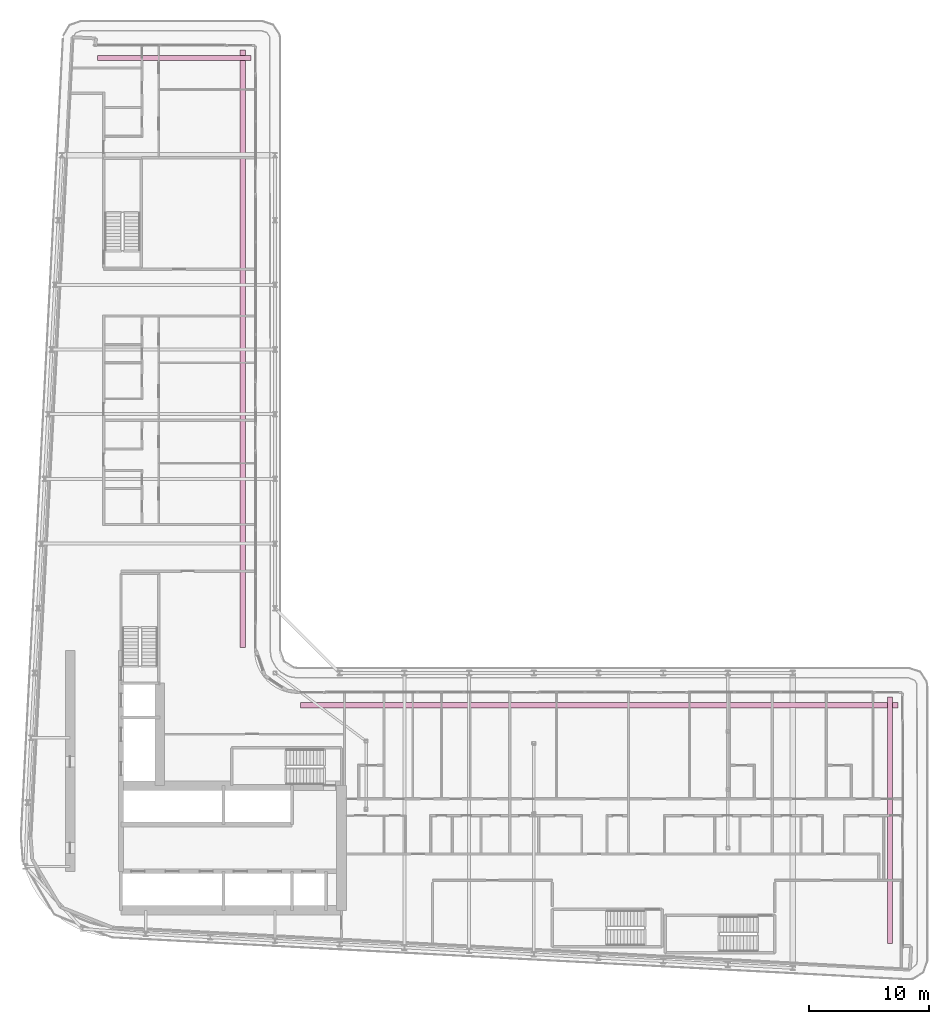
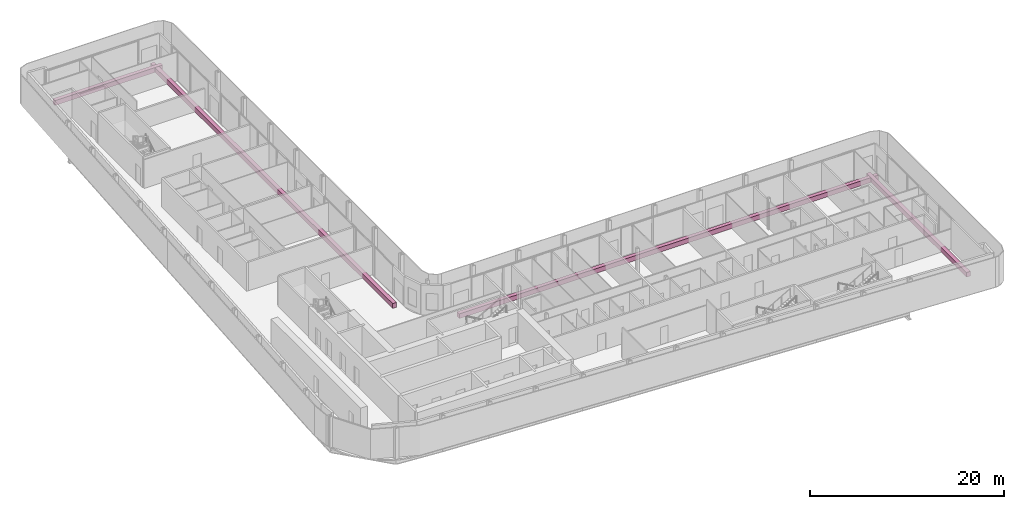
# One storey, part 30 of 30: 4 furniture elements.
"""IFC4 building model written with IfcOpenShell, lengths in metres."""

from ifc_helpers import new_model, si_unit, direction, frame, origin, origin_2d, place, context, subcontext, project, spatial, rectangle, extrude, material, type_object, element, save


model = new_model("IFC4")

# Units and contexts
model_context = context("Model", 3, precision=1e-05, world=origin(), true_north=direction((0.0, 1.0)))
body_context = subcontext(model_context, "Body", "Model", "MODEL_VIEW")
ifc_project = project(units=[si_unit("LENGTHUNIT", "METRE"), si_unit("AREAUNIT", "SQUARE_METRE"), si_unit("VOLUMEUNIT", "CUBIC_METRE"), si_unit("PLANEANGLEUNIT", "RADIAN"), si_unit("MASSUNIT", "GRAM", prefix="KILO")], contexts=[model_context])

# Site, building, storey
site_placement = place(None, origin())
site = spatial("IfcSite", under=ifc_project, at=site_placement, CompositionType="ELEMENT")
building_placement = place(site_placement, origin())
building = spatial("IfcBuilding", under=site, at=building_placement, Name="Kheshtan School and Residences Tower", CompositionType="ELEMENT")
storey_placement = place(building_placement, frame((0.0, 0.0, 195.5)))
storey = spatial("IfcBuildingStorey", under=building, at=storey_placement, Name="L46", CompositionType="ELEMENT", Elevation=195.5)

# Furniture
ifc_material = material(Name="Precast concrete C30/37 in terracotta finish", Category="masonry")
furniture_type = type_object("IfcFurnitureType", Name="Planter trough", AssemblyPlace="NOTDEFINED", PredefinedType="USERDEFINED", material=ifc_material)
furniture_1_placement = place(storey_placement, frame((39.196044921875, 96.925048828125, 0.0), z_axis=(0.0, 0.0, 1.0), x_axis=(1.0, 0.0, 0.0)))
element("IfcFurniture", 1, at=furniture_1_placement, inside=storey, type_object=furniture_type, Name="Planter L46", ObjectType="PLANTER", PredefinedType="USERDEFINED", context=body_context, shape_type="SweptSolid", body=[
    extrude(rectangle(XDim=12.80810546875, YDim=0.449951171875, at=origin_2d()), origin(), (0.0, 0.0, 1.0), 0.60009765625),
])
for number, where, z_axis, x_axis, name in (
    (2, (44.925048828125, 72.6650390625, 0.0), (0.0, 0.0, 1.0), (0.0, -1.0, 0.0), "Planter L46"),
    (3, (74.6650390625, 42.925048828125, 0.0), (0.0, 0.0, 1.0), (1.0, 0.0, 0.0), "Planter L46"),
):
    element("IfcFurniture", number, at=place(storey_placement, frame(where, z_axis=z_axis, x_axis=x_axis)), inside=storey, type_object=furniture_type, Name=name, ObjectType="PLANTER", PredefinedType="USERDEFINED", context=body_context, shape_type="SweptSolid", body=[
        extrude(rectangle(XDim=49.8701171875, YDim=0.449951171875, at=origin_2d()), origin(), (0.0, 0.0, 1.0), 0.60009765625),
    ])
furniture_2_placement = place(storey_placement, frame((98.925048828125, 33.306884765625, 0.0), z_axis=(0.0, 0.0, 1.0), x_axis=(0.0, -1.0, 0.0)))
element("IfcFurniture", 4, at=furniture_2_placement, inside=storey, type_object=furniture_type, Name="Planter L46", ObjectType="PLANTER", PredefinedType="USERDEFINED", context=body_context, shape_type="SweptSolid", body=[
    extrude(rectangle(XDim=20.5859375, YDim=0.449951171875, at=origin_2d()), origin(), (0.0, 0.0, 1.0), 0.60009765625),
])

save(model, "model.ifc")
